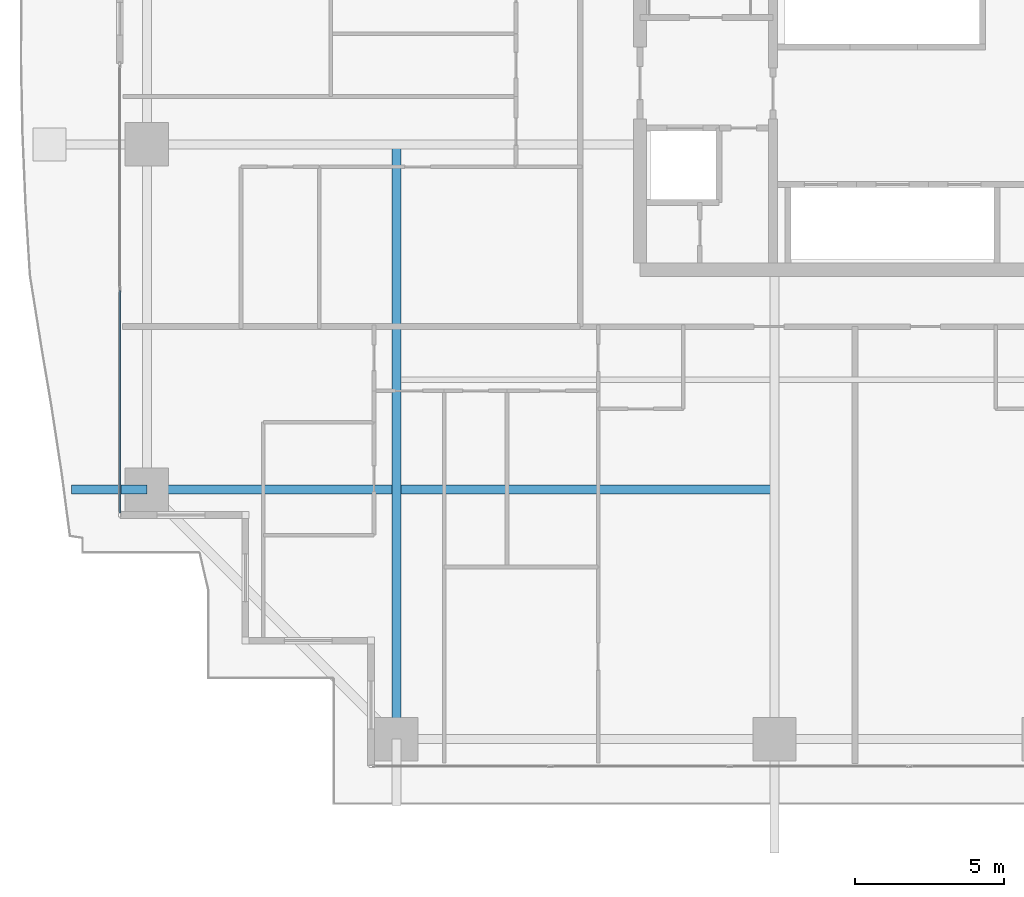
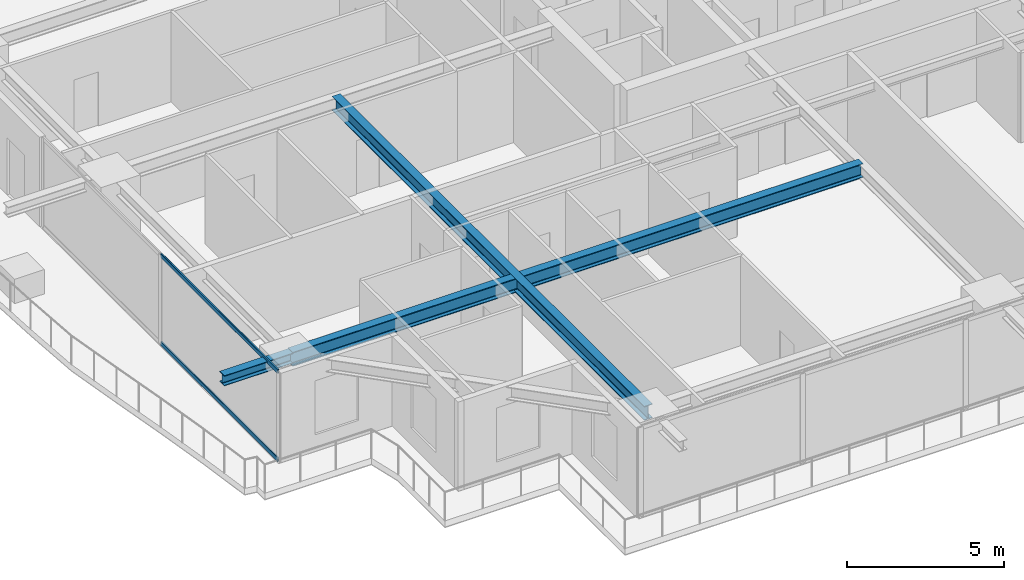
# One storey, part 3 of 36: 3 beams, 2 members, 1 element without a shape of its own.
"""IFC4 building model written with IfcOpenShell, lengths in metres."""

import ifcopenshell
import ifcopenshell.guid

model = None  # the IFC model being written
_history = None  # IfcOwnerHistory: only IFC2X3 demands one
_inside = {}  # id of a spatial element -> (the spatial element, [elements in it])
_under = {}  # id of a project, library or spatial element -> (it, [spatial elements below it])
_declared = {}  # id of a project -> (the project, [libraries it declares])
_typed = {}  # id of a type object -> (the type object, [elements of that type])
_made_of = {}  # id of a material, layer set ... -> (it, [elements and type objects made of it])


def new_model(schema):
    """Start an empty IFC model of exactly this schema.

    Asked for "IFC4X3", IfcOpenShell would pick the latest addendum, in which some entities
    have other attributes; the version numbers below select the first issue.
    IFC2X3 requires an IfcOwnerHistory on every rooted entity: one is made here for all.
    """
    global model, _history
    if schema == "IFC4X3":
        model = ifcopenshell.file(schema_version=(4, 3, 0, 0))
    else:
        model = ifcopenshell.file(schema=schema)
    _inside.clear()
    _under.clear()
    _declared.clear()
    _typed.clear()
    _made_of.clear()
    _history = None
    if model.schema == "IFC2X3":
        org = make("IfcOrganization", Name="unknown")
        user = make(
            "IfcPersonAndOrganization",
            ThePerson=make("IfcPerson", FamilyName="unknown"),
            TheOrganization=org,
        )
        app = make(
            "IfcApplication",
            ApplicationDeveloper=org,
            Version="unknown",
            ApplicationFullName="unknown",
            ApplicationIdentifier="unknown",
        )
        _history = make(
            "IfcOwnerHistory",
            OwningUser=user,
            OwningApplication=app,
            ChangeAction="ADDED",
            CreationDate=0,
        )
    return model


def make(cls, **values):
    """One entity of the class cls with the attributes given. An attribute that is None is left unset."""
    return model.create_entity(
        cls, **{name: value for name, value in values.items() if value is not None}
    )


def rooted(cls, **values):
    """An entity with a GlobalId (a new one), such as an element, a storey or a relation."""
    return make(cls, GlobalId=ifcopenshell.guid.new(), OwnerHistory=_history, **values)


def si_unit(unit_type, name, prefix=None):
    """IfcSIUnit, for example si_unit("LENGTHUNIT", "METRE", prefix="MILLI")."""
    return make("IfcSIUnit", UnitType=unit_type, Prefix=prefix, Name=name)


def assignment(units):
    """IfcUnitAssignment: the units of a project."""
    return None if units is None else make("IfcUnitAssignment", Units=units)


def point(xyz):
    """IfcCartesianPoint."""
    return None if xyz is None else make("IfcCartesianPoint", Coordinates=xyz)


def direction(xyz):
    """IfcDirection."""
    return None if xyz is None else make("IfcDirection", DirectionRatios=xyz)


def frame(location, z_axis=None, x_axis=None):
    """IfcAxis2Placement3D, a coordinate frame: its origin and axes. An axis left out is left unset."""
    return make(
        "IfcAxis2Placement3D",
        Location=point(location),
        Axis=direction(z_axis),
        RefDirection=direction(x_axis),
    )


def frame_2d(location, x_axis=None):
    """IfcAxis2Placement2D, a coordinate frame in the plane: its origin and x axis."""
    return make(
        "IfcAxis2Placement2D", Location=point(location), RefDirection=direction(x_axis)
    )


def origin():
    """The frame at (0, 0, 0) with its axes left unset."""
    return frame((0.0, 0.0, 0.0))


def origin_2d():
    """The frame at (0, 0) in the plane with its x axis left unset."""
    return frame_2d((0.0, 0.0))


def place(relative_to, where):
    """IfcLocalPlacement: puts the frame where relative to a parent placement (None: the world)."""
    return make(
        "IfcLocalPlacement", PlacementRelTo=relative_to, RelativePlacement=where
    )


def context(
    kind, dimensions, precision=None, world=None, true_north=None, identifier=None
):
    """IfcGeometricRepresentationContext, for example the 3D "Model" context."""
    return make(
        "IfcGeometricRepresentationContext",
        ContextIdentifier=identifier,
        ContextType=kind,
        CoordinateSpaceDimension=dimensions,
        Precision=precision,
        WorldCoordinateSystem=world,
        TrueNorth=true_north,
    )


def subcontext(parent, identifier, kind, view, scale=None):
    """IfcGeometricRepresentationSubContext, for example "Body" below "Model"."""
    return make(
        "IfcGeometricRepresentationSubContext",
        ContextIdentifier=identifier,
        ContextType=kind,
        ParentContext=parent,
        TargetScale=scale,
        TargetView=view,
    )


def project(units=None, contexts=None):
    """IfcProject with its units and contexts."""
    return rooted(
        "IfcProject",
        Name="project",
        RepresentationContexts=contexts,
        UnitsInContext=assignment(units),
    )


def spatial(cls, under=None, at=None, **own):
    """A site, building, storey or space (cls), placed at a placement, below another one or the project."""
    s = rooted(cls, ObjectPlacement=at, **own)
    if under is not None:
        _under.setdefault(under.id(), (under, []))[1].append(s)
    return s


def profile(cls, at=None, kind="AREA", **sizes):
    """A parametric profile (cls). Its sizes go by their IFC names, for example OverallWidth=200.0."""
    return make(cls, ProfileType=kind, Position=at, **sizes)


def hollow_rectangle(**sizes):
    """IfcRectangleHollowProfileDef."""
    return profile("IfcRectangleHollowProfileDef", **sizes)


def i_section(**sizes):
    """IfcIShapeProfileDef."""
    return profile("IfcIShapeProfileDef", **sizes)


def extrude(swept, where, along, depth):
    """IfcExtrudedAreaSolid: the profile swept, set in the frame where, extruded along a direction by depth."""
    return make(
        "IfcExtrudedAreaSolid",
        SweptArea=swept,
        Position=where,
        ExtrudedDirection=direction(along),
        Depth=depth,
    )


def shape(context_of_items, identifier, shape_type, items):
    """IfcShapeRepresentation: the items that make up one representation, for example the "Body"."""
    return make(
        "IfcShapeRepresentation",
        ContextOfItems=context_of_items,
        RepresentationIdentifier=identifier,
        RepresentationType=shape_type,
        Items=items,
    )


def source(mapping_origin, context_of_items, identifier, shape_type, items):
    """IfcRepresentationMap: a shape defined once, which mapped items show again and again."""
    return make(
        "IfcRepresentationMap",
        MappingOrigin=mapping_origin,
        MappedRepresentation=shape(context_of_items, identifier, shape_type, items),
    )


def transform(
    local_origin,
    x_axis=None,
    y_axis=None,
    z_axis=None,
    scale=None,
    scale2=None,
    scale3=None,
    uniform=True,
):
    """IfcCartesianTransformationOperator3D, or its non-uniform kind. x_axis, y_axis, z_axis: its Axis1, 2, 3."""
    if uniform:
        return make(
            "IfcCartesianTransformationOperator3D",
            Axis1=direction(x_axis),
            Axis2=direction(y_axis),
            LocalOrigin=point(local_origin),
            Scale=scale,
            Axis3=direction(z_axis),
        )
    return make(
        "IfcCartesianTransformationOperator3DnonUniform",
        Axis1=direction(x_axis),
        Axis2=direction(y_axis),
        LocalOrigin=point(local_origin),
        Scale=scale,
        Axis3=direction(z_axis),
        Scale2=scale2,
        Scale3=scale3,
    )


def mapped(mapping_source, mapping_target):
    """IfcMappedItem: shows the shape of a source again, moved by a transform."""
    return make(
        "IfcMappedItem", MappingSource=mapping_source, MappingTarget=mapping_target
    )


def material(Name=None, Category=None):
    """IfcMaterial."""
    return make("IfcMaterial", Name=Name, Category=Category)


def layer(
    of_material, thickness, ventilated=None, Name=None, Category=None, Priority=None
):
    """IfcMaterialLayer: one layer of a wall or slab, of a material (None: an air gap)."""
    return make(
        "IfcMaterialLayer",
        Material=of_material,
        LayerThickness=thickness,
        IsVentilated=ventilated,
        Name=Name,
        Category=Category,
        Priority=Priority,
    )


def layer_set(layers, Name=None):
    """IfcMaterialLayerSet."""
    return make("IfcMaterialLayerSet", MaterialLayers=layers, LayerSetName=Name)


def material_profile(
    of_material, cross_section, Name=None, Category=None, Priority=None
):
    """IfcMaterialProfile: a cross section and its material."""
    return make(
        "IfcMaterialProfile",
        Name=Name,
        Material=of_material,
        Profile=cross_section,
        Priority=Priority,
        Category=Category,
    )


def profile_set(profiles, Name=None, composite=None):
    """IfcMaterialProfileSet."""
    return make(
        "IfcMaterialProfileSet",
        Name=Name,
        MaterialProfiles=profiles,
        CompositeProfile=composite,
    )


def made_of(thing, what):
    """Note that an element or type object is made of a material, layer set ...; save() writes the relation."""
    if what is not None:
        _made_of.setdefault(what.id(), (what, []))[1].append(thing)
    return thing


def type_object(cls, material=None, **own):
    """A type object (cls), such as IfcWallType, which elements share."""
    return made_of(rooted(cls, **own), material)


def element(
    cls,
    number,
    at=None,
    inside=None,
    cuts=None,
    type_object=None,
    material=None,
    context=None,
    identifier="Body",
    shape_type=None,
    held_by="IfcProductDefinitionShape",
    body=None,
    shapes=None,
    **own,
):
    """One element of the class cls, such as IfcWall. Its Tag is "e" and its number.

    at: its placement. inside: the storey or other place that contains it. cuts: it is an
    opening in that element (IfcRelVoidsElement). A single representation is given by context,
    identifier, shape_type and body (its items); several are given by shapes. held_by: the class
    of the entity that holds the representations. save() writes the other relations.
    """
    e = rooted(cls, Tag="e%d" % number, ObjectPlacement=at, **own)
    if body is not None:
        shapes = [shape(context, identifier, shape_type, body)]
    if shapes is not None:
        e.Representation = make(held_by, Representations=shapes)
    if inside is not None:
        _inside.setdefault(inside.id(), (inside, []))[1].append(e)
    if cuts is not None:
        rooted(
            "IfcRelVoidsElement", RelatingBuildingElement=cuts, RelatedOpeningElement=e
        )
    if type_object is not None:
        _typed.setdefault(type_object.id(), (type_object, []))[1].append(e)
    return made_of(e, material)


def aggregate(whole, parts):
    """IfcRelAggregates: a whole, such as a stair, and the parts it consists of."""
    return rooted("IfcRelAggregates", RelatingObject=whole, RelatedObjects=parts)


def save(model, path):
    """Write the relations noted so far, then the file.

    IfcRelAggregates (storeys below a building ...), IfcRelContainedInSpatialStructure (elements
    in a storey), IfcRelDefinesByType, IfcRelAssociatesMaterial and IfcRelDeclares: one each for
    every whole, place, type object, material and project.
    """
    for whole, parts in _under.values():
        aggregate(whole, parts)
    for where, things in _inside.values():
        rooted(
            "IfcRelContainedInSpatialStructure",
            RelatedElements=things,
            RelatingStructure=where,
        )
    for kind, things in _typed.values():
        rooted("IfcRelDefinesByType", RelatedObjects=things, RelatingType=kind)
    for what, things in _made_of.values():
        rooted("IfcRelAssociatesMaterial", RelatedObjects=things, RelatingMaterial=what)
    for by, libraries in _declared.values():
        rooted("IfcRelDeclares", RelatingContext=by, RelatedDefinitions=libraries)
    model.write(path)


model = new_model("IFC4")

# Units and contexts
model_context = context("Model", 3, precision=1e-05, world=origin(), true_north=direction((0.0, 1.0)))
body_context = subcontext(model_context, "Body", "Model", "MODEL_VIEW")
ifc_project = project(units=[si_unit("LENGTHUNIT", "METRE"), si_unit("AREAUNIT", "SQUARE_METRE"), si_unit("VOLUMEUNIT", "CUBIC_METRE"), si_unit("PLANEANGLEUNIT", "RADIAN"), si_unit("MASSUNIT", "GRAM", prefix="KILO")], contexts=[model_context])

# Site, building, storey
site_placement = place(None, origin())
site = spatial("IfcSite", under=ifc_project, at=site_placement, CompositionType="ELEMENT")
building_placement = place(site_placement, origin())
building = spatial("IfcBuilding", under=site, at=building_placement, Name="Serunith Strait Residences", CompositionType="ELEMENT")
storey_placement = place(building_placement, frame((0.0, 0.0, 41.699951171875)))
storey = spatial("IfcBuildingStorey", under=building, at=storey_placement, Name="L09", CompositionType="ELEMENT", Elevation=41.699951171875)

# Beams
ifc_material_1 = material(Name="Steel S355J2", Category="steel")
ifc_material_profile_1 = material_profile(ifc_material_1, i_section(OverallWidth=0.300048828125, OverallDepth=0.550048828125, WebThickness=0.014892578125, FlangeThickness=0.029052734375, FilletRadius=0.027099609375, at=origin_2d()), Name="HEB 550")
ifc_profile_set_1 = profile_set([ifc_material_profile_1], Name="Steel S355J2")
beam_type_1 = type_object("IfcBeamType", Name="BM-HEB550", PredefinedType="BEAM", material=ifc_profile_set_1)
shared_shape_1 = source(origin(), body_context, "Body", "SweptSolid", [
    extrude(i_section(OverallWidth=0.300048828125, OverallDepth=0.550048828125, WebThickness=0.014892578125, FlangeThickness=0.029052734375, FilletRadius=0.027099609375, at=origin_2d()), origin(), (0.0, 0.0, 1.0), 19.89990234375),
])
beam_1_placement = place(storey_placement, frame((15.25, 21.0, 3.212158203125), z_axis=(0.0, -1.0, 0.0), x_axis=(1.0, 0.0, 0.0)))
element("IfcBeam", 1, at=beam_1_placement, inside=storey, type_object=beam_type_1, Name="L09 Orthogonal Corner Girder TC-S1", PredefinedType="BEAM", context=body_context, shape_type="MappedRepresentation", body=[
    mapped(shared_shape_1, transform((0.0, 0.0, 0.0), scale=1.0)),
])
shared_shape_2 = source(origin(), body_context, "Body", "SweptSolid", [
    extrude(i_section(OverallWidth=0.300048828125, OverallDepth=0.550048828125, WebThickness=0.014892578125, FlangeThickness=0.029052734375, FilletRadius=0.027099609375, at=origin_2d()), origin(), (0.0, 0.0, 1.0), 21.0),
])
beam_2_placement = place(storey_placement, frame((27.89990234375, 9.449951171875, 3.212158203125), z_axis=(-1.0, 0.0, 0.0), x_axis=(0.0, -1.0, 0.0)))
element("IfcBeam", 2, at=beam_2_placement, inside=storey, type_object=beam_type_1, Name="L09 Orthogonal Corner Girder TC-W1", PredefinedType="BEAM", context=body_context, shape_type="MappedRepresentation", body=[
    mapped(shared_shape_2, transform((0.0, 0.0, 0.0), scale=1.0)),
])
ifc_material_profile_2 = material_profile(ifc_material_1, i_section(OverallWidth=0.300048828125, OverallDepth=0.39990234375, WebThickness=0.013427734375, FlangeThickness=0.02392578125, FilletRadius=0.027099609375, at=origin_2d()), Name="HEB 400")
ifc_profile_set_2 = profile_set([ifc_material_profile_2], Name="Steel S355J2")
beam_type_2 = type_object("IfcBeamType", Name="BM-HEB400", PredefinedType="BEAM", material=ifc_profile_set_2)
shared_shape_3 = source(origin(), body_context, "Body", "SweptSolid", [
    extrude(i_section(OverallWidth=0.300048828125, OverallDepth=0.39990234375, WebThickness=0.013427734375, FlangeThickness=0.02392578125, FilletRadius=0.027099609375, at=origin_2d()), origin(), (0.0, 0.0, 1.0), 2.513916015625),
])
beam_3_placement = place(storey_placement, frame((6.89990234375, 9.449951171875, 3.257080078125), z_axis=(-1.0, 0.0, 0.0), x_axis=(0.0, -1.0, 0.0)))
element("IfcBeam", 3, at=beam_3_placement, inside=storey, type_object=beam_type_2, Name="L10 Cantilevered Balcony Rib TC-W1", PredefinedType="BEAM", context=body_context, shape_type="MappedRepresentation", body=[
    mapped(shared_shape_3, transform((0.0, 0.0, 0.0), scale=1.0)),
])

# Curtain wall, members
ifc_material_2 = material(Name="Pale-Champagne Anodised Aluminium", Category="aluminium")
ifc_layer = layer(ifc_material_2, 0.199951171875, Name="Pale-Champagne Anodised Aluminium")
ifc_layer_set = layer_set([ifc_layer], Name="Pale-Champagne Anodised Aluminium")
curtain_wall_type = type_object("IfcCurtainWallType", Name="CW-SYS1", PredefinedType="NOTDEFINED", material=ifc_layer_set)
curtain_wall_placement = place(storey_placement, origin())
curtain_wall = element("IfcCurtainWall", 4, at=curtain_wall_placement, inside=storey, type_object=curtain_wall_type, Name="L09 W Unitised Fritted Curtain Wall", PredefinedType="NOTDEFINED")
ifc_material_profile_3 = material_profile(ifc_material_2, hollow_rectangle(XDim=0.06005859375, YDim=0.159912109375, WallThickness=0.00341796875, InnerFilletRadius=0.00537109375, OuterFilletRadius=0.0087890625, at=origin_2d()), Name="ALU 160x60x3.5")
ifc_profile_set_3 = profile_set([ifc_material_profile_3], Name="Pale-Champagne Anodised Aluminium")
member_type = type_object("IfcMemberType", Name="CW-SYS1-TRAN", PredefinedType="USERDEFINED", material=ifc_profile_set_3)
shared_shape_4 = source(origin(), body_context, "Body", "SweptSolid", [
    extrude(hollow_rectangle(XDim=0.06005859375, YDim=0.159912109375, WallThickness=0.00341796875, InnerFilletRadius=0.00537109375, OuterFilletRadius=0.0087890625, at=origin_2d()), origin(), (0.0, 0.0, 1.0), 7.445068359375),
])
member_1_placement = place(storey_placement, frame((6.0, 16.114990234375, 0.030029296875), z_axis=(0.0, -1.0, 0.0), x_axis=(1.0, 0.0, 0.0)))
member_1 = element("IfcMember", 5, at=member_1_placement, type_object=member_type, Name="CW-1 transom 2.1", ObjectType="TRANSOM", PredefinedType="USERDEFINED", context=body_context, shape_type="MappedRepresentation", body=[
    mapped(shared_shape_4, transform((0.0, 0.0, 0.0), scale=1.0)),
])
member_2_placement = place(storey_placement, frame((6.0, 16.114990234375, 3.445068359375), z_axis=(0.0, -1.0, 0.0), x_axis=(1.0, 0.0, 0.0)))
member_2 = element("IfcMember", 6, at=member_2_placement, type_object=member_type, Name="CW-1 transom 2.2", ObjectType="TRANSOM", PredefinedType="USERDEFINED", context=body_context, shape_type="MappedRepresentation", body=[
    mapped(shared_shape_4, transform((0.0, 0.0, 0.0), scale=1.0)),
])
aggregate(curtain_wall, [member_1, member_2])

save(model, "model.ifc")
